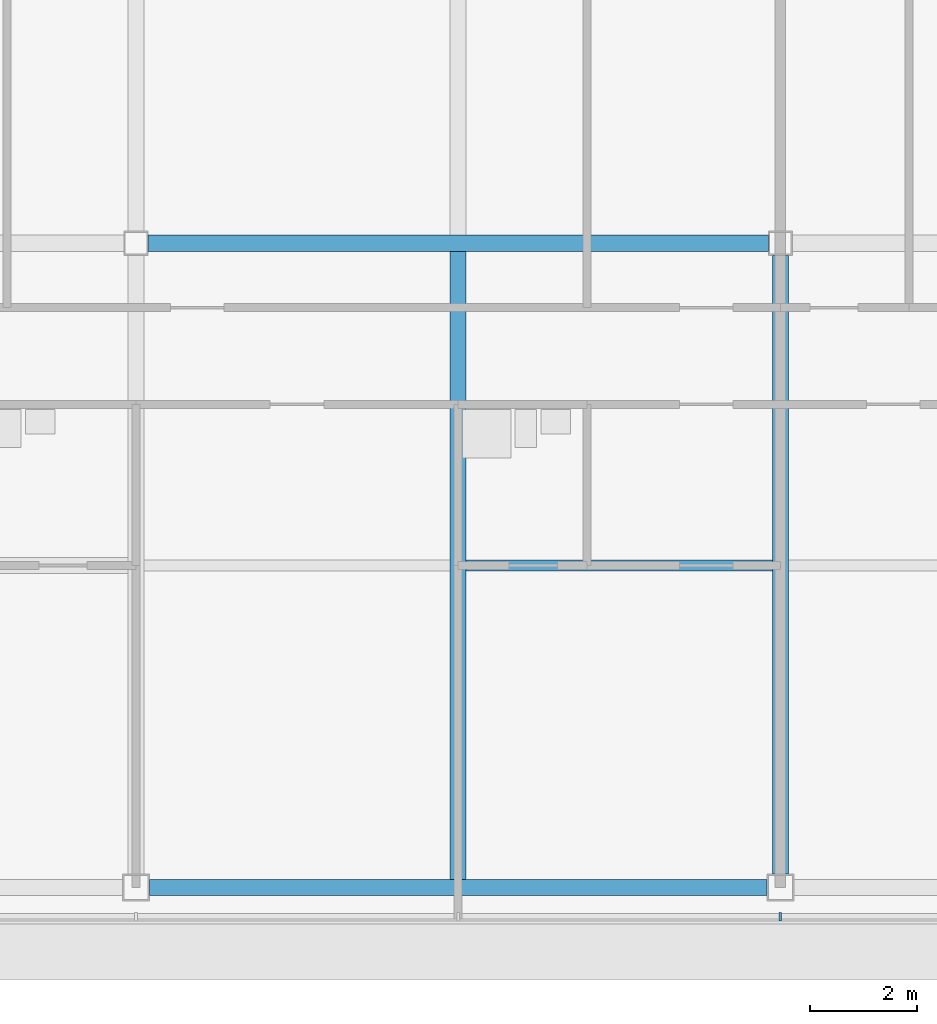
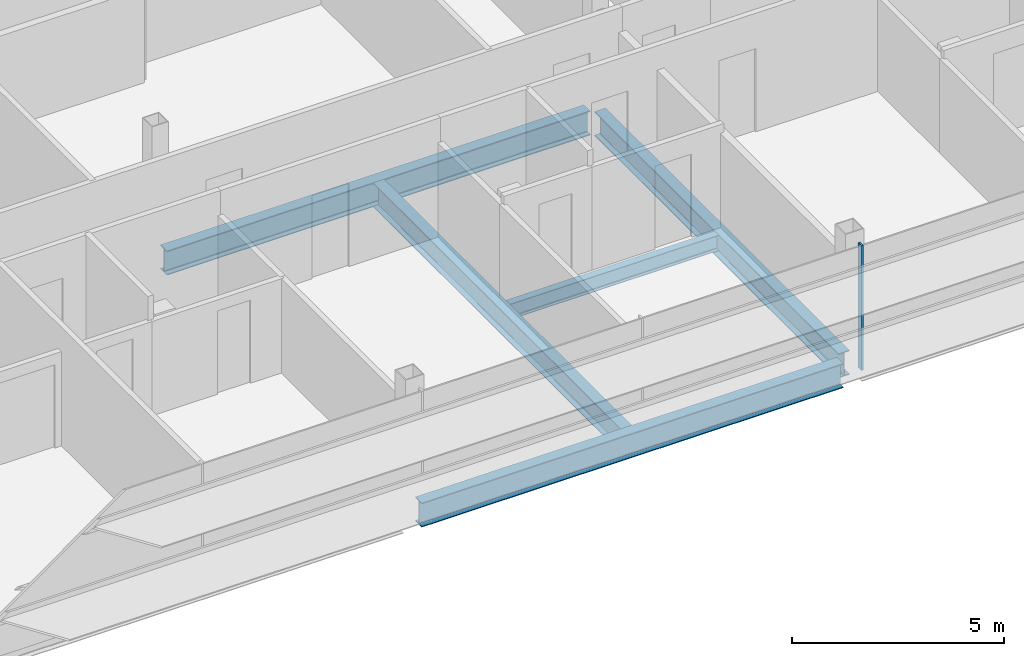
# One storey, part 5 of 28: 5 beams, 1 member, 1 element without a shape of its own.
"""IFC4 building model written with IfcOpenShell, lengths in metres."""

from ifc_helpers import new_model, si_unit, direction, frame, origin, origin_2d, place, context, subcontext, project, spatial, rectangle, i_section, extrude, material, material_profile, profile_set, type_object, element, aggregate, save


model = new_model("IFC4")

# Units and contexts
model_context = context("Model", 3, precision=1e-05, world=origin(), true_north=direction((0.0, 1.0)))
body_context = subcontext(model_context, "Body", "Model", "MODEL_VIEW")
ifc_project = project(units=[si_unit("LENGTHUNIT", "METRE"), si_unit("AREAUNIT", "SQUARE_METRE"), si_unit("VOLUMEUNIT", "CUBIC_METRE"), si_unit("PLANEANGLEUNIT", "RADIAN"), si_unit("MASSUNIT", "GRAM", prefix="KILO")], contexts=[model_context])

# Site, building, storey
site_placement = place(None, origin())
site = spatial("IfcSite", under=ifc_project, at=site_placement, CompositionType="ELEMENT")
building_placement = place(site_placement, origin())
building = spatial("IfcBuilding", under=site, at=building_placement, Name="Sorahane Residences", CompositionType="ELEMENT")
storey_placement = place(building_placement, frame((0.0, 0.0, 305.199951171875)))
storey = spatial("IfcBuildingStorey", under=building, at=storey_placement, Name="L72", CompositionType="ELEMENT", Elevation=305.199951171875)

# Curtain wall, member
ifc_material_1 = material(Name="Dark low-e glass and black anodised aluminium", Category="aluminium")
curtain_wall_type = type_object("IfcCurtainWallType", Name="Curtain wall CW-1 Typical unitised wall", PredefinedType="NOTDEFINED", material=ifc_material_1)
curtain_wall_placement = place(storey_placement, origin())
curtain_wall = element("IfcCurtainWall", 1, at=curtain_wall_placement, inside=storey, type_object=curtain_wall_type, Name="CW-1 curtain wall L72 S1", PredefinedType="NOTDEFINED")
ifc_material_2 = material(Name="Black anodised aluminium", Category="aluminium")
ifc_material_profile_1 = material_profile(ifc_material_2, rectangle(XDim=0.159912109375, YDim=0.050048828125, at=origin_2d()), Name="Curtain wall mullion CW-1 black anodised aluminium 50x160")
ifc_profile_set_1 = profile_set([ifc_material_profile_1], Name="Black anodised aluminium")
member_type = type_object("IfcMemberType", Name="Curtain wall mullion CW-1 black anodised aluminium 50x160", PredefinedType="MULLION", material=ifc_profile_set_1)
member_placement = place(storey_placement, frame((12.0, -0.5400390625, -0.179931640625), z_axis=(0.0, 0.0, 1.0), x_axis=(0.0, -1.0, 0.0)))
member = element("IfcMember", 2, at=member_placement, type_object=member_type, Name="CW-1 mullion L72 S1.5", PredefinedType="MULLION", context=body_context, shape_type="SweptSolid", body=[
    extrude(rectangle(XDim=0.159912109375, YDim=0.050048828125, at=origin_2d()), origin(), (0.0, 0.0, 1.0), 3.60009765625),
])
aggregate(curtain_wall, [member])

# Beams
ifc_material_3 = material(Name="Steel Q355B", Category="steel")
ifc_material_profile_2 = material_profile(ifc_material_3, i_section(OverallWidth=0.199951171875, OverallDepth=0.449951171875, WebThickness=0.009033203125, FlangeThickness=0.013916015625, FilletRadius=0.02001953125, at=origin_2d()), Name="HN 450x200x9x14")
ifc_profile_set_2 = profile_set([ifc_material_profile_2], Name="Steel Q355B")
beam_type_1 = type_object("IfcBeamType", Name="Steel floor beam HN 450x200x9x14 Q355B", PredefinedType="BEAM", material=ifc_profile_set_2)
beam_1_placement = place(storey_placement, frame((6.14990234375, 6.0, -0.405029296875), z_axis=(1.0, 0.0, 0.0), x_axis=(0.0, 1.0, 0.0)))
element("IfcBeam", 3, at=beam_1_placement, inside=storey, type_object=beam_type_1, Name="Beam L72 069", PredefinedType="BEAM", context=body_context, shape_type="SweptSolid", body=[
    extrude(i_section(OverallWidth=0.199951171875, OverallDepth=0.449951171875, WebThickness=0.009033203125, FlangeThickness=0.013916015625, FilletRadius=0.02001953125, at=origin_2d()), origin(), (0.0, 0.0, 1.0), 5.7001953125),
])
ifc_material_4 = material(Name="Steel Q355B", Category="steel")
ifc_material_profile_3 = material_profile(ifc_material_4, i_section(OverallWidth=0.300048828125, OverallDepth=0.699951171875, WebThickness=0.012939453125, FlangeThickness=0.02392578125, FilletRadius=0.028076171875, at=origin_2d()), Name="HN 700x300x13x24")
ifc_profile_set_3 = profile_set([ifc_material_profile_3], Name="Steel Q355B")
beam_type_2 = type_object("IfcBeamType", Name="Steel floor beam HN 700x300x13x24 Q355B", PredefinedType="BEAM", material=ifc_profile_set_3)
beam_2_placement = place(storey_placement, frame((0.25, 0.0, -0.530029296875), z_axis=(1.0, 0.0, 0.0), x_axis=(0.0, 1.0, 0.0)))
element("IfcBeam", 4, at=beam_2_placement, inside=storey, type_object=beam_type_2, Name="Beam L72 001", PredefinedType="BEAM", context=body_context, shape_type="SweptSolid", body=[
    extrude(i_section(OverallWidth=0.300048828125, OverallDepth=0.699951171875, WebThickness=0.012939453125, FlangeThickness=0.02392578125, FilletRadius=0.028076171875, at=origin_2d()), origin(), (0.0, 0.0, 1.0), 11.5),
])
beam_3_placement = place(storey_placement, frame((0.22509765625, 12.0, -0.530029296875), z_axis=(1.0, 0.0, 0.0), x_axis=(0.0, 1.0, 0.0)))
element("IfcBeam", 5, at=beam_3_placement, inside=storey, type_object=beam_type_2, Name="Beam L72 007", PredefinedType="BEAM", context=body_context, shape_type="SweptSolid", body=[
    extrude(i_section(OverallWidth=0.300048828125, OverallDepth=0.699951171875, WebThickness=0.012939453125, FlangeThickness=0.02392578125, FilletRadius=0.028076171875, at=origin_2d()), origin(), (0.0, 0.0, 1.0), 11.5498046875),
])
beam_4_placement = place(storey_placement, frame((6.0, 0.14990234375, -0.530029296875), z_axis=(0.0, 1.0, 0.0), x_axis=(-1.0, 0.0, 0.0)))
element("IfcBeam", 6, at=beam_4_placement, inside=storey, type_object=beam_type_2, Name="Beam L72 032", PredefinedType="BEAM", context=body_context, shape_type="SweptSolid", body=[
    extrude(i_section(OverallWidth=0.300048828125, OverallDepth=0.699951171875, WebThickness=0.012939453125, FlangeThickness=0.02392578125, FilletRadius=0.028076171875, at=origin_2d()), origin(), (0.0, 0.0, 1.0), 11.7001953125),
])
beam_5_placement = place(storey_placement, frame((12.0, 0.25, -0.530029296875), z_axis=(0.0, 1.0, 0.0), x_axis=(-1.0, 0.0, 0.0)))
element("IfcBeam", 7, at=beam_5_placement, inside=storey, type_object=beam_type_2, Name="Beam L72 038", PredefinedType="BEAM", context=body_context, shape_type="SweptSolid", body=[
    extrude(i_section(OverallWidth=0.300048828125, OverallDepth=0.699951171875, WebThickness=0.012939453125, FlangeThickness=0.02392578125, FilletRadius=0.028076171875, at=origin_2d()), origin(), (0.0, 0.0, 1.0), 11.52490234375),
])

save(model, "model.ifc")
